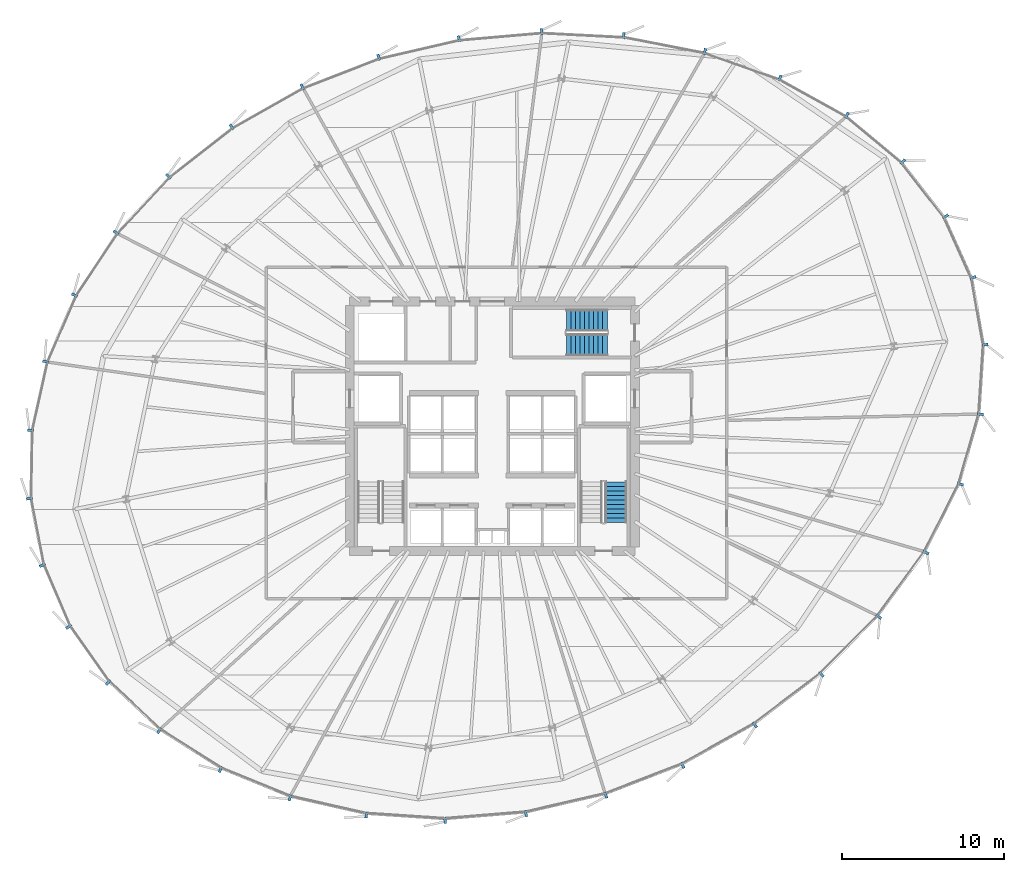
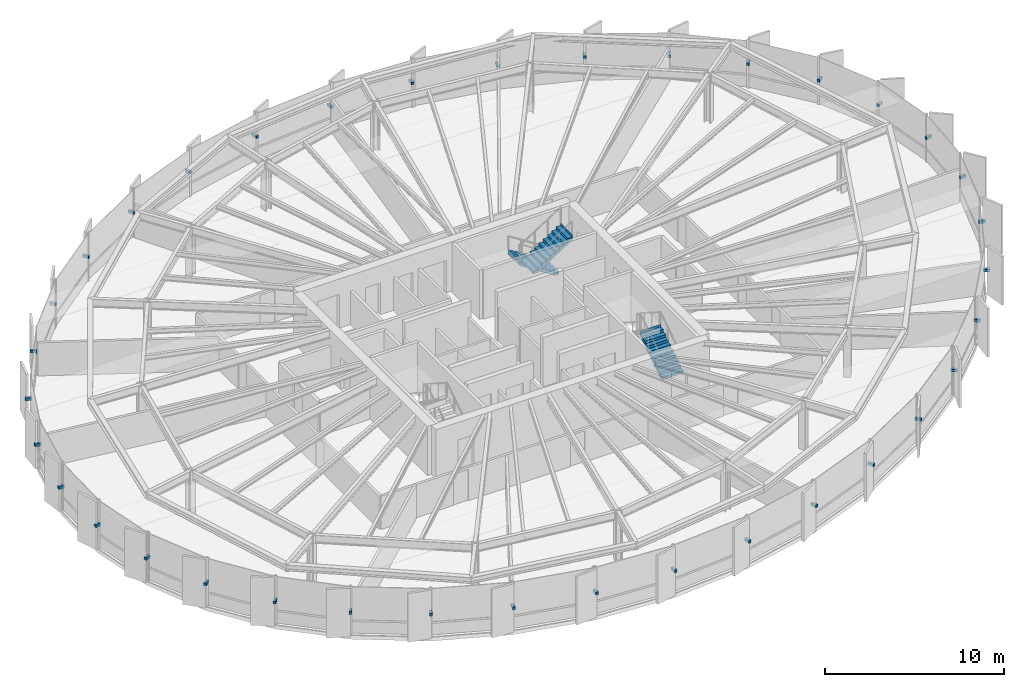
# One storey, part 31 of 35: 36 discrete accessories, 3 stair flights, 2 elements without a shape of their own.
"""IFC4 building model written with IfcOpenShell, lengths in metres."""

from ifc_helpers import new_model, si_unit, direction, frame, origin, origin_2d, place, context, subcontext, project, spatial, polyline, rectangle, outline, extrude, source, transform, mapped, material, type_object, element, aggregate, save


model = new_model("IFC4")

# Units and contexts
model_context = context("Model", 3, precision=1e-05, world=origin(), true_north=direction((0.0, 1.0)))
body_context = subcontext(model_context, "Body", "Model", "MODEL_VIEW")
ifc_project = project(units=[si_unit("LENGTHUNIT", "METRE"), si_unit("AREAUNIT", "SQUARE_METRE"), si_unit("VOLUMEUNIT", "CUBIC_METRE"), si_unit("PLANEANGLEUNIT", "RADIAN"), si_unit("MASSUNIT", "GRAM", prefix="KILO"), si_unit("THERMODYNAMICTEMPERATUREUNIT", "KELVIN")], contexts=[model_context])

# Site, building, storey
site_placement = place(None, origin())
site = spatial("IfcSite", under=ifc_project, at=site_placement, CompositionType="ELEMENT")
building_placement = place(site_placement, origin())
building = spatial("IfcBuilding", under=site, at=building_placement, Name="Kethvar Cultural Tower", CompositionType="ELEMENT")
storey_placement = place(building_placement, frame((0.0, 0.0, 103.60009765625)))
storey = spatial("IfcBuildingStorey", under=building, at=storey_placement, Name="L25", CompositionType="ELEMENT", Elevation=103.60009765625)

# Stair, stair flight
ifc_material_1 = material(Name="Concrete C40/50", Category="concrete")
stair_type = type_object("IfcStairType", Name="ST-DOGLEG-135", PredefinedType="HALF_TURN_STAIR", material=ifc_material_1)
stair_1_placement = place(storey_placement, origin())
stair_1 = element("IfcStair", 1, at=stair_1_placement, inside=storey, type_object=stair_type, Name="L25 Core Exit Stair 2", PredefinedType="HALF_TURN_STAIR")
stair_flight_type = type_object("IfcStairFlightType", Name="FL-STRAIGHT-135", PredefinedType="STRAIGHT", material=ifc_material_1)
stair_flight_1_placement = place(storey_placement, frame((54.43505859375, 21.85009765625, 0.0), z_axis=(0.0, 0.0, 1.0), x_axis=(0.0, 1.0, 0.0)))
stair_flight_1 = element("IfcStairFlight", 2, at=stair_flight_1_placement, type_object=stair_flight_type, Name="ST-02 flight 1", NumberOfRisers=10, NumberOfTreads=9, PredefinedType="STRAIGHT", RiserHeight=0.18, TreadLength=0.28, context=body_context, shape_type="SweptSolid", body=[
    extrude(outline(polyline([(-0.0009765625, -0.0009765625), (-0.0009765625, 0.179931640625), (0.280029296875, 0.179931640625), (0.280029296875, 0.360107421875), (0.56005859375, 0.360107421875), (0.56005859375, 0.5400390625), (0.840087890625, 0.5400390625), (0.840087890625, 0.719970703125), (1.1201171875, 0.719970703125), (1.1201171875, 0.89990234375), (1.39990234375, 0.89990234375), (1.39990234375, 1.080078125), (1.679931640625, 1.080078125), (1.679931640625, 1.260009765625), (1.9599609375, 1.260009765625), (1.9599609375, 1.43994140625), (2.239990234375, 1.43994140625), (2.239990234375, 1.6201171875), (2.52001953125, 1.6201171875), (2.52001953125, 1.800048828125), (2.52099609375, 1.800048828125), (2.52099609375, 1.44189453125), (0.277099609375, 0.0), (0.0, -0.0009765625), (-0.0009765625, -0.0009765625)])), frame((0.0, 0.675048828125, 0.0), z_axis=(0.0, -1.0, 0.0), x_axis=(1.0, 0.0, 0.0)), (0.0, 0.0, 1.0), 1.35009765625),
])
aggregate(stair_1, [stair_flight_1])

# Stair, stair flights
stair_2_placement = place(storey_placement, origin())
stair_2 = element("IfcStair", 3, at=stair_2_placement, inside=storey, type_object=stair_type, Name="L25 Core Exit Stair 3", PredefinedType="HALF_TURN_STAIR")
stair_flight_2_placement = place(storey_placement, frame((53.89990234375, 34.3349609375, 0.0), z_axis=(0.0, 0.0, 1.0), x_axis=(-1.0, 0.0, 0.0)))
stair_flight_2 = element("IfcStairFlight", 4, at=stair_flight_2_placement, type_object=stair_flight_type, Name="ST-03 flight 1", NumberOfRisers=10, NumberOfTreads=9, PredefinedType="STRAIGHT", RiserHeight=0.18, TreadLength=0.28, context=body_context, shape_type="SweptSolid", body=[
    extrude(outline(polyline([(-0.0009765625, -0.0009765625), (-0.0009765625, 0.179931640625), (0.280029296875, 0.179931640625), (0.280029296875, 0.360107421875), (0.56005859375, 0.360107421875), (0.56005859375, 0.5400390625), (0.840087890625, 0.5400390625), (0.840087890625, 0.719970703125), (1.1201171875, 0.719970703125), (1.1201171875, 0.89990234375), (1.39990234375, 0.89990234375), (1.39990234375, 1.080078125), (1.679931640625, 1.080078125), (1.679931640625, 1.260009765625), (1.9599609375, 1.260009765625), (1.9599609375, 1.43994140625), (2.239990234375, 1.43994140625), (2.239990234375, 1.6201171875), (2.52001953125, 1.6201171875), (2.52001953125, 1.800048828125), (2.52099609375, 1.800048828125), (2.52099609375, 1.44189453125), (0.277099609375, 0.0), (0.0, -0.0009765625), (-0.0009765625, -0.0009765625)])), frame((0.0, 0.675048828125, 0.0), z_axis=(0.0, -1.0, 0.0), x_axis=(1.0, 0.0, 0.0)), (0.0, 0.0, 1.0), 1.35009765625),
])
stair_flight_3_placement = place(storey_placement, frame((51.3798828125, 32.824951171875, 1.7998046875), z_axis=(0.0, 0.0, 1.0), x_axis=(1.0, 0.0, 0.0)))
stair_flight_3 = element("IfcStairFlight", 5, at=stair_flight_3_placement, type_object=stair_flight_type, Name="ST-03 flight 2", NumberOfRisers=10, NumberOfTreads=9, PredefinedType="STRAIGHT", RiserHeight=0.18, TreadLength=0.28, context=body_context, shape_type="SweptSolid", body=[
    extrude(outline(polyline([(-0.0009765625, -0.0009765625), (-0.0009765625, 0.179931640625), (0.280029296875, 0.179931640625), (0.280029296875, 0.360107421875), (0.56005859375, 0.360107421875), (0.56005859375, 0.5400390625), (0.840087890625, 0.5400390625), (0.840087890625, 0.719970703125), (1.1201171875, 0.719970703125), (1.1201171875, 0.89990234375), (1.39990234375, 0.89990234375), (1.39990234375, 1.080078125), (1.679931640625, 1.080078125), (1.679931640625, 1.260009765625), (1.9599609375, 1.260009765625), (1.9599609375, 1.43994140625), (2.239990234375, 1.43994140625), (2.239990234375, 1.6201171875), (2.52001953125, 1.6201171875), (2.52001953125, 1.800048828125), (2.52099609375, 1.800048828125), (2.52099609375, 1.44189453125), (0.277099609375, 0.0), (0.0, -0.0009765625), (-0.0009765625, -0.0009765625)])), frame((0.0, 0.675048828125, 0.0), z_axis=(0.0, -1.0, 0.0), x_axis=(1.0, 0.0, 0.0)), (0.0, 0.0, 1.0), 1.35009765625),
])
aggregate(stair_2, [stair_flight_2, stair_flight_3])

# Discrete accessories
ifc_material_2 = material(Name="Steel S355J2", Category="steel")
discrete_accessory_type = type_object("IfcDiscreteAccessoryType", Name="Steel Fin Bracket BRK-01", PredefinedType="BRACKET", material=ifc_material_2)
shared_shape = source(origin(), body_context, "Body", "SweptSolid", [
    extrude(rectangle(XDim=0.3798828125, YDim=0.159912109375, at=origin_2d()), origin(), (0.0, 0.0, 1.0), 0.179931640625),
])
for number, where, z_axis, x_axis, name in (
    (6, (76.483642578125, 36.9736328125, 1.5849609375), (0.0, 0.0, 1.0), (0.911976970473, 0.410241398845, 0.0), "L25 Terracotta Fin Bracket 1.1"),
    (7, (74.7880859375, 40.74267578125, 1.5849609375), (0.0, 0.0, 1.0), (0.789084084835, 0.614285200099, 0.0), "L25 Terracotta Fin Bracket 1.2"),
    (8, (72.150146484375, 44.130126953125, 1.5849609375), (0.0, 0.0, 1.0), (0.639573180455, 0.768730217204, 0.0), "L25 Terracotta Fin Bracket 1.3"),
    (9, (68.693603515625, 47.00634765625, 1.5849609375), (0.0, 0.0, 1.0), (0.484656962927, 0.874704309059, 0.0), "L25 Terracotta Fin Bracket 1.4"),
    (10, (64.561767578125, 49.2958984375, 1.5849609375), (0.0, 0.0, 1.0), (0.334629341909, 0.94234983076, 0.0), "L25 Terracotta Fin Bracket 1.5"),
    (11, (59.92431640625, 50.9423828125, 1.5849609375), (0.0, 0.0, 1.0), (0.190980318733, 0.981593866045, 0.0), "L25 Terracotta Fin Bracket 1.6"),
    (12, (54.921630859375, 51.910400390625, 1.5849609375), (0.0, 0.0, 1.0), (0.051464467756, 0.998674826237, 0.0), "L25 Terracotta Fin Bracket 2.1"),
    (13, (49.84765625, 52.172119140625, 1.5849609375), (0.0, 0.0, 1.0), (-0.086807999895, 0.996225060493, 0.0), "L25 Terracotta Fin Bracket 2.2"),
    (14, (44.74609375, 51.7275390625, 1.5849609375), (0.0, 0.0, 1.0), (-0.225291159947, 0.974291482694, 0.0), "L25 Terracotta Fin Bracket 2.3"),
    (15, (39.790771484375, 50.581787109375, 1.5849609375), (0.0, 0.0, 1.0), (-0.361624570082, 0.932323801216, 0.0), "L25 Terracotta Fin Bracket 2.4"),
    (16, (35.072021484375, 48.751220703125, 1.5849609375), (0.0, 0.0, 1.0), (-0.492271646879, 0.870441626808, 0.0), "L25 Terracotta Fin Bracket 2.5"),
    (17, (30.709716796875, 46.2841796875, 1.5849609375), (0.0, 0.0, 1.0), (-0.615936505456, 0.787795799206, 0.0), "L25 Terracotta Fin Bracket 2.6"),
    (18, (26.809326171875, 43.226806640625, 1.5849609375), (0.0, 0.0, 1.0), (-0.730877398756, 0.682508775026, 0.0), "L25 Terracotta Fin Bracket 3.1"),
    (19, (23.569091796875, 39.757080078125, 1.5849609375), (0.0, 0.0, 1.0), (-0.833307377884, 0.55280992571, 0.0), "L25 Terracotta Fin Bracket 3.2"),
    (20, (21.0078125, 35.895263671875, 1.5849609375), (0.0, 0.0, 1.0), (-0.917754625684, 0.397147890635, 0.0), "L25 Terracotta Fin Bracket 3.3"),
    (21, (19.230224609375, 31.787353515625, 1.5849609375), (0.0, 0.0, 1.0), (-0.97618254578, 0.21695077164, 0.0), "L25 Terracotta Fin Bracket 3.4"),
    (22, (18.290283203125, 27.558349609375, 1.5849609375), (0.0, 0.0, 1.0), (-0.999847695156, 0.017452406437, 0.0), "L25 Terracotta Fin Bracket 3.5"),
    (23, (18.216796875, 23.33642578125, 1.5849609375), (0.0, 0.0, 1.0), (-0.981593866045, -0.190980318733, 0.0), "L25 Terracotta Fin Bracket 3.6"),
    (24, (19.02734375, 19.21435546875, 1.5849609375), (0.0, 0.0, 1.0), (-0.919204081089, -0.393781484212, 0.0), "L25 Terracotta Fin Bracket 4.1"),
    (25, (20.651611328125, 15.423583984375, 1.5849609375), (0.0, 0.0, 1.0), (-0.817144898335, -0.57643231617, 0.0), "L25 Terracotta Fin Bracket 4.2"),
    (26, (23.085693359375, 11.973388671875, 1.5849609375), (0.0, 0.0, 1.0), (-0.685437198009, -0.728131751529, 0.0), "L25 Terracotta Fin Bracket 4.3"),
    (27, (26.240234375, 9.00439453125, 1.5849609375), (0.0, 0.0, 1.0), (-0.535826794979, -0.844327925502, 0.0), "L25 Terracotta Fin Bracket 4.4"),
    (28, (30.01953125, 6.606201171875, 1.5849609375), (0.0, 0.0, 1.0), (-0.378487074295, -0.925606576571, 0.0), "L25 Terracotta Fin Bracket 4.5"),
    (29, (34.30859375, 4.852294921875, 1.5849609375), (0.0, 0.0, 1.0), (-0.220867661007, -0.975303786684, 0.0), "L25 Terracotta Fin Bracket 4.6"),
    (30, (39.01611328125, 3.79296875, 1.5849609375), (0.0, 0.0, 1.0), (-0.066622194773, -0.997778273548, 0.0), "L25 Terracotta Fin Bracket 5.1"),
    (31, (43.88330078125, 3.468017578125, 1.5849609375), (0.0, 0.0, 1.0), (0.08211245342, -0.996623070671, 0.0), "L25 Terracotta Fin Bracket 5.2"),
    (32, (48.877685546875, 3.8798828125, 1.5849609375), (0.0, 0.0, 1.0), (0.224951054344, -0.974370064785, 0.0), "L25 Terracotta Fin Bracket 5.3"),
    (33, (53.809326171875, 5.018310546875, 1.5849609375), (0.0, 0.0, 1.0), (0.361299105657, -0.932449975201, 0.0), "L25 Terracotta Fin Bracket 5.4"),
    (34, (58.552001953125, 6.856201171875, 1.5849609375), (0.0, 0.0, 1.0), (0.488164336698, -0.872751728945, 0.0), "L25 Terracotta Fin Bracket 5.5"),
    (35, (63.02099609375, 9.356201171875, 1.5849609375), (0.0, 0.0, 1.0), (0.603903781253, -0.797057226922, 0.0), "L25 Terracotta Fin Bracket 5.6"),
    (36, (67.129150390625, 12.47607421875, 1.5849609375), (0.0, 0.0, 1.0), (0.709693707598, -0.704510355776, 0.0), "L25 Terracotta Fin Bracket 6.1"),
    (37, (70.6640625, 16.037353515625, 1.5849609375), (0.0, 0.0, 1.0), (0.806444604267, -0.591309648364, 0.0), "L25 Terracotta Fin Bracket 6.2"),
    (38, (73.573974609375, 20.006103515625, 1.5849609375), (0.0, 0.0, 1.0), (0.892507111882, -0.451033319435, 0.0), "L25 Terracotta Fin Bracket 6.3"),
    (39, (75.703857421875, 24.222412109375, 1.5849609375), (0.0, 0.0, 1.0), (0.961069030524, -0.276308375854, 0.0), "L25 Terracotta Fin Bracket 6.4"),
    (40, (76.94580078125, 28.544677734375, 1.5849609375), (0.0, 0.0, 1.0), (0.997915618272, -0.064532308253, 0.0), "L25 Terracotta Fin Bracket 6.5"),
    (41, (77.222900390625, 32.82958984375, 1.5849609375), (0.0, 0.0, 1.0), (0.984868307662, 0.173304404339, 0.0), "L25 Terracotta Fin Bracket 6.6"),
):
    element("IfcDiscreteAccessory", number, at=place(storey_placement, frame(where, z_axis=z_axis, x_axis=x_axis)), inside=storey, type_object=discrete_accessory_type, Name=name, PredefinedType="BRACKET", context=body_context, shape_type="MappedRepresentation", body=[
        mapped(shared_shape, transform((0.0, 0.0, 0.0), scale=1.0)),
    ])

save(model, "model.ifc")
